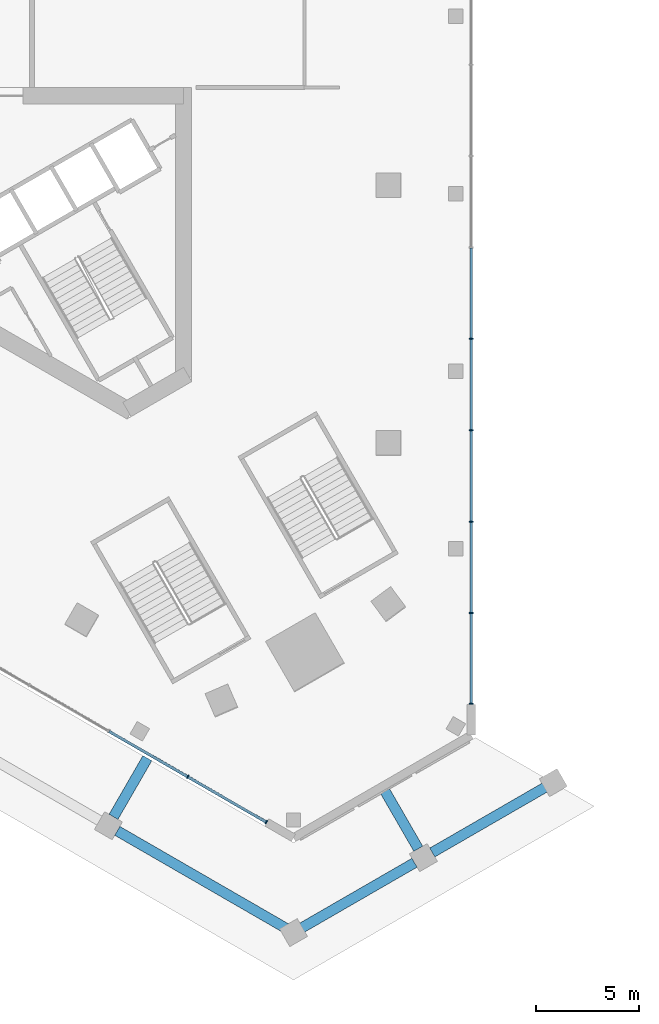
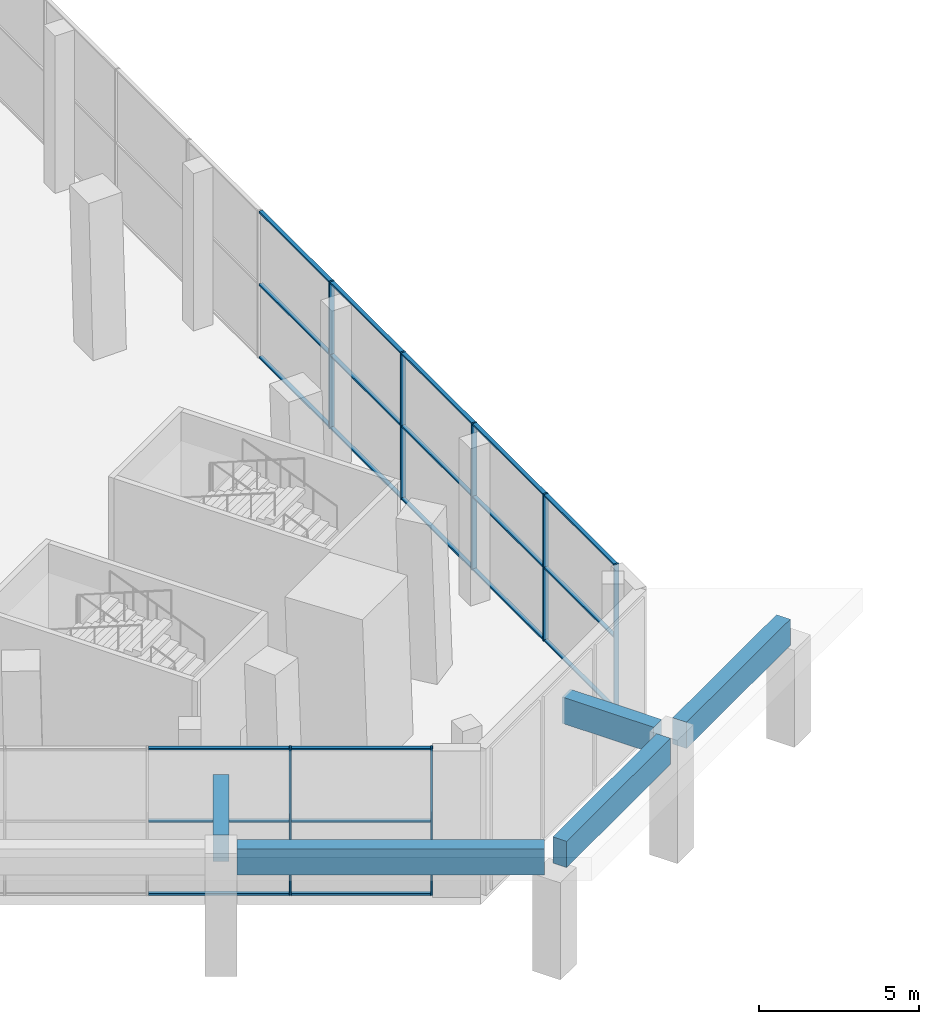
# One storey, part 8 of 51: 28 members, 5 beams, 2 elements without a shape of their own.
"""IFC4 building model written with IfcOpenShell, lengths in metres."""

from ifc_helpers import new_model, si_unit, direction, frame, origin, origin_2d, place, context, subcontext, project, spatial, rectangle, extrude, material, layer, layer_set, material_profile, profile_set, type_object, element, aggregate, save


model = new_model("IFC4")

# Units and contexts
model_context = context("Model", 3, precision=1e-05, world=origin(), true_north=direction((0.0, 1.0)))
body_context = subcontext(model_context, "Body", "Model", "MODEL_VIEW")
ifc_project = project(units=[si_unit("LENGTHUNIT", "METRE"), si_unit("AREAUNIT", "SQUARE_METRE"), si_unit("VOLUMEUNIT", "CUBIC_METRE"), si_unit("PLANEANGLEUNIT", "RADIAN"), si_unit("MASSUNIT", "GRAM", prefix="KILO")], contexts=[model_context])

# Site, building, storey
site_placement = place(None, origin())
site = spatial("IfcSite", under=ifc_project, at=site_placement, CompositionType="ELEMENT")
building_placement = place(site_placement, origin())
building = spatial("IfcBuilding", under=site, at=building_placement, Name="Jabali Bay Hotel Tower and Convention Centre", CompositionType="ELEMENT")
storey_placement = place(building_placement, frame((0.0, 0.0, 9.0)))
storey = spatial("IfcBuildingStorey", under=building, at=storey_placement, Name="L01", CompositionType="ELEMENT", Elevation=9.0)

# Beams
ifc_material_1 = material(Name="Concrete C40", Category="concrete")
ifc_material_profile_1 = material_profile(ifc_material_1, rectangle(XDim=0.5, YDim=1.0, at=origin_2d()), Name="RC 500x1000")
ifc_profile_set_1 = profile_set([ifc_material_profile_1], Name="Concrete C40")
beam_type = type_object("IfcBeamType", Name="Arcade Edge Beam 500x1000", PredefinedType="BEAM", material=ifc_profile_set_1)
beam_1_placement = place(storey_placement, frame((86.250244140625, 35.976806640625, 4.199951171875), z_axis=(0.866025895183, -0.499999148871, 0.0), x_axis=(0.499999148871, 0.866025895183, 0.0)))
element("IfcBeam", 1, at=beam_1_placement, inside=storey, type_object=beam_type, Name="Arcade edge beam 20", PredefinedType="BEAM", context=body_context, shape_type="SweptSolid", body=[
    extrude(rectangle(XDim=0.5, YDim=1.0, at=origin_2d()), origin(), (0.0, 0.0, 1.0), 9.59814453125),
])
beam_2_placement = place(storey_placement, frame((95.116943359375, 31.177734375, 4.199951171875), z_axis=(0.866025824846, 0.499999270699, 0.0), x_axis=(-0.499999270699, 0.866025824846, 0.0)))
element("IfcBeam", 2, at=beam_2_placement, inside=storey, type_object=beam_type, Name="Arcade edge beam 21", PredefinedType="BEAM", context=body_context, shape_type="SweptSolid", body=[
    extrude(rectangle(XDim=0.5, YDim=1.0, at=origin_2d()), origin(), (0.0, 0.0, 1.0), 6.4892578125),
])
beam_3_placement = place(storey_placement, frame((101.602783203125, 34.92236328125, 4.199951171875), z_axis=(0.866018939763, 0.500011195847, 0.0), x_axis=(-0.500011195847, 0.866018939763, 0.0)))
element("IfcBeam", 3, at=beam_3_placement, inside=storey, type_object=beam_type, Name="Arcade edge beam 22", PredefinedType="BEAM", context=body_context, shape_type="SweptSolid", body=[
    extrude(rectangle(XDim=0.5, YDim=1.0, at=origin_2d()), origin(), (0.0, 0.0, 1.0), 6.489501953125),
])
for number, where, z_axis, x_axis, name in (
    (4, (86.0673828125, 36.659912109375, 4.199951171875), (0.499974350878, 0.866040211805, 0.0), (-0.866040211805, 0.499974350878, 0.0), "Arcade cross beam 16"),
    (5, (100.919921875, 35.10546875, 4.199951171875), (-0.50002983664, 0.866008176907, 0.0), (-0.866008176907, -0.50002983664, 0.0), "Arcade cross beam 17"),
):
    element("IfcBeam", number, at=place(storey_placement, frame(where, z_axis=z_axis, x_axis=x_axis)), inside=storey, type_object=beam_type, Name=name, PredefinedType="BEAM", context=body_context, shape_type="SweptSolid", body=[
        extrude(rectangle(XDim=0.5, YDim=1.0, at=origin_2d()), origin(), (0.0, 0.0, 1.0), 3.300048828125),
    ])

# Curtain wall, members
ifc_material_2 = material(Name="Aluminium and glass", Category="aluminium")
ifc_layer = layer(ifc_material_2, 0.179931640625)
ifc_layer_set = layer_set([ifc_layer], Name="Aluminium and glass")
curtain_wall_type = type_object("IfcCurtainWallType", Name="CW1 curtain wall", PredefinedType="NOTDEFINED", material=ifc_layer_set)
curtain_wall_1_placement = place(storey_placement, origin())
curtain_wall_1 = element("IfcCurtainWall", 6, at=curtain_wall_1_placement, inside=storey, type_object=curtain_wall_type, Name="CW1 curtain wall east face L01", PredefinedType="NOTDEFINED")
ifc_material_3 = material(Name="Aluminium", Category="aluminium")
ifc_material_profile_2 = material_profile(ifc_material_3, rectangle(XDim=0.179931640625, YDim=0.06005859375, at=origin_2d()), Name="CW1 mullion 60 x 180")
ifc_profile_set_2 = profile_set([ifc_material_profile_2], Name="Aluminium")
member_type_1 = type_object("IfcMemberType", Name="CW1 mullion 60 x 180", PredefinedType="MULLION", material=ifc_profile_set_2)
member_1_placement = place(storey_placement, frame((103.5, 59.95458984375, 0.0), z_axis=(0.0, 0.0, 1.0), x_axis=(1.0, 0.0, 0.0)))
member_1 = element("IfcMember", 7, at=member_1_placement, type_object=member_type_1, Name="CW1 mullion 14", PredefinedType="MULLION", context=body_context, shape_type="SweptSolid", body=[
    extrude(rectangle(XDim=0.179931640625, YDim=0.06005859375, at=origin_2d()), origin(), (0.0, 0.0, 1.0), 5.60009765625),
])
member_2_placement = place(storey_placement, frame((103.5, 55.5, 0.0), z_axis=(0.0, 0.0, 1.0), x_axis=(1.0, 0.0, 0.0)))
member_2 = element("IfcMember", 8, at=member_2_placement, type_object=member_type_1, Name="CW1 mullion 15", PredefinedType="MULLION", context=body_context, shape_type="SweptSolid", body=[
    extrude(rectangle(XDim=0.179931640625, YDim=0.06005859375, at=origin_2d()), origin(), (0.0, 0.0, 1.0), 5.60009765625),
])
member_3_placement = place(storey_placement, frame((103.5, 51.045654296875, 0.0), z_axis=(0.0, 0.0, 1.0), x_axis=(1.0, 0.0, 0.0)))
member_3 = element("IfcMember", 9, at=member_3_placement, type_object=member_type_1, Name="CW1 mullion 16", PredefinedType="MULLION", context=body_context, shape_type="SweptSolid", body=[
    extrude(rectangle(XDim=0.179931640625, YDim=0.06005859375, at=origin_2d()), origin(), (0.0, 0.0, 1.0), 5.60009765625),
])
member_4_placement = place(storey_placement, frame((103.5, 46.591064453125, 0.0), z_axis=(0.0, 0.0, 1.0), x_axis=(1.0, 0.0, 0.0)))
member_4 = element("IfcMember", 10, at=member_4_placement, type_object=member_type_1, Name="CW1 mullion 17", PredefinedType="MULLION", context=body_context, shape_type="SweptSolid", body=[
    extrude(rectangle(XDim=0.179931640625, YDim=0.06005859375, at=origin_2d()), origin(), (0.0, 0.0, 1.0), 5.60009765625),
])
member_5_placement = place(storey_placement, frame((103.5, 42.16650390625, 0.0), z_axis=(0.0, 0.0, 1.0), x_axis=(1.0, 0.0, 0.0)))
member_5 = element("IfcMember", 11, at=member_5_placement, type_object=member_type_1, Name="CW1 mullion 18", PredefinedType="MULLION", context=body_context, shape_type="SweptSolid", body=[
    extrude(rectangle(XDim=0.179931640625, YDim=0.06005859375, at=origin_2d()), origin(), (0.0, 0.0, 1.0), 5.60009765625),
])

curtain_wall_2_placement = place(storey_placement, origin())
curtain_wall_2 = element("IfcCurtainWall", 12, at=curtain_wall_2_placement, inside=storey, type_object=curtain_wall_type, Name="CW1 curtain wall south-west face L01", PredefinedType="NOTDEFINED")
member_6_placement = place(storey_placement, frame((93.5146484375, 36.401611328125, 0.0), z_axis=(0.0, 0.0, 1.0), x_axis=(-0.499999999441, -0.866025404107, 0.0)))
member_6 = element("IfcMember", 13, at=member_6_placement, type_object=member_type_1, Name="CW1 mullion 1", PredefinedType="MULLION", context=body_context, shape_type="SweptSolid", body=[
    extrude(rectangle(XDim=0.179931640625, YDim=0.06005859375, at=origin_2d()), origin(), (0.0, 0.0, 1.0), 5.60009765625),
])
member_7_placement = place(storey_placement, frame((89.682861328125, 38.61376953125, 0.0), z_axis=(0.0, 0.0, 1.0), x_axis=(-0.499999999441, -0.866025404107, 0.0)))
member_7 = element("IfcMember", 14, at=member_7_placement, type_object=member_type_1, Name="CW1 mullion 2", PredefinedType="MULLION", context=body_context, shape_type="SweptSolid", body=[
    extrude(rectangle(XDim=0.179931640625, YDim=0.06005859375, at=origin_2d()), origin(), (0.0, 0.0, 1.0), 5.60009765625),
])

# Member
ifc_material_profile_3 = material_profile(ifc_material_3, rectangle(XDim=0.139892578125, YDim=0.06005859375, at=origin_2d()), Name="CW1 transom 60 x 140")
ifc_profile_set_3 = profile_set([ifc_material_profile_3], Name="Aluminium")
member_type_2 = type_object("IfcMemberType", Name="CW1 transom 60 x 140", PredefinedType="USERDEFINED", material=ifc_profile_set_3)
member_8_placement = place(storey_placement, frame((103.5, 64.379150390625, 0.030029296875), z_axis=(0.0, -1.0, 0.0), x_axis=(1.0, 0.0, 0.0)))
member_8 = element("IfcMember", 15, at=member_8_placement, type_object=member_type_2, Name="CW1 transom 13.1", ObjectType="TRANSOM", PredefinedType="USERDEFINED", context=body_context, shape_type="SweptSolid", body=[
    extrude(rectangle(XDim=0.139892578125, YDim=0.06005859375, at=origin_2d()), origin(), (0.0, 0.0, 1.0), 4.39453125),
])

member_9_placement = place(storey_placement, frame((103.5, 64.379150390625, 2.800048828125), z_axis=(0.0, -1.0, 0.0), x_axis=(1.0, 0.0, 0.0)))
member_9 = element("IfcMember", 16, at=member_9_placement, type_object=member_type_2, Name="CW1 transom 13.2", ObjectType="TRANSOM", PredefinedType="USERDEFINED", context=body_context, shape_type="SweptSolid", body=[
    extrude(rectangle(XDim=0.139892578125, YDim=0.06005859375, at=origin_2d()), origin(), (0.0, 0.0, 1.0), 4.39453125),
])

member_10_placement = place(storey_placement, frame((103.5, 64.379150390625, 5.570068359375), z_axis=(0.0, -1.0, 0.0), x_axis=(1.0, 0.0, 0.0)))
member_10 = element("IfcMember", 17, at=member_10_placement, type_object=member_type_2, Name="CW1 transom 13.3", ObjectType="TRANSOM", PredefinedType="USERDEFINED", context=body_context, shape_type="SweptSolid", body=[
    extrude(rectangle(XDim=0.139892578125, YDim=0.06005859375, at=origin_2d()), origin(), (0.0, 0.0, 1.0), 4.39453125),
])

member_11_placement = place(storey_placement, frame((103.5, 59.924560546875, 0.030029296875), z_axis=(0.0, -1.0, 0.0), x_axis=(1.0, 0.0, 0.0)))
member_11 = element("IfcMember", 18, at=member_11_placement, type_object=member_type_2, Name="CW1 transom 14.1", ObjectType="TRANSOM", PredefinedType="USERDEFINED", context=body_context, shape_type="SweptSolid", body=[
    extrude(rectangle(XDim=0.139892578125, YDim=0.06005859375, at=origin_2d()), origin(), (0.0, 0.0, 1.0), 4.39453125),
])

member_12_placement = place(storey_placement, frame((103.5, 59.924560546875, 2.800048828125), z_axis=(0.0, -1.0, 0.0), x_axis=(1.0, 0.0, 0.0)))
member_12 = element("IfcMember", 19, at=member_12_placement, type_object=member_type_2, Name="CW1 transom 14.2", ObjectType="TRANSOM", PredefinedType="USERDEFINED", context=body_context, shape_type="SweptSolid", body=[
    extrude(rectangle(XDim=0.139892578125, YDim=0.06005859375, at=origin_2d()), origin(), (0.0, 0.0, 1.0), 4.39453125),
])

member_13_placement = place(storey_placement, frame((103.5, 59.924560546875, 5.570068359375), z_axis=(0.0, -1.0, 0.0), x_axis=(1.0, 0.0, 0.0)))
member_13 = element("IfcMember", 20, at=member_13_placement, type_object=member_type_2, Name="CW1 transom 14.3", ObjectType="TRANSOM", PredefinedType="USERDEFINED", context=body_context, shape_type="SweptSolid", body=[
    extrude(rectangle(XDim=0.139892578125, YDim=0.06005859375, at=origin_2d()), origin(), (0.0, 0.0, 1.0), 4.39453125),
])

member_14_placement = place(storey_placement, frame((103.5, 55.47021484375, 0.030029296875), z_axis=(0.0, -1.0, 0.0), x_axis=(1.0, 0.0, 0.0)))
member_14 = element("IfcMember", 21, at=member_14_placement, type_object=member_type_2, Name="CW1 transom 15.1", ObjectType="TRANSOM", PredefinedType="USERDEFINED", context=body_context, shape_type="SweptSolid", body=[
    extrude(rectangle(XDim=0.139892578125, YDim=0.06005859375, at=origin_2d()), origin(), (0.0, 0.0, 1.0), 4.39453125),
])

member_15_placement = place(storey_placement, frame((103.5, 55.47021484375, 2.800048828125), z_axis=(0.0, -1.0, 0.0), x_axis=(1.0, 0.0, 0.0)))
member_15 = element("IfcMember", 22, at=member_15_placement, type_object=member_type_2, Name="CW1 transom 15.2", ObjectType="TRANSOM", PredefinedType="USERDEFINED", context=body_context, shape_type="SweptSolid", body=[
    extrude(rectangle(XDim=0.139892578125, YDim=0.06005859375, at=origin_2d()), origin(), (0.0, 0.0, 1.0), 4.39453125),
])

member_16_placement = place(storey_placement, frame((103.5, 55.47021484375, 5.570068359375), z_axis=(0.0, -1.0, 0.0), x_axis=(1.0, 0.0, 0.0)))
member_16 = element("IfcMember", 23, at=member_16_placement, type_object=member_type_2, Name="CW1 transom 15.3", ObjectType="TRANSOM", PredefinedType="USERDEFINED", context=body_context, shape_type="SweptSolid", body=[
    extrude(rectangle(XDim=0.139892578125, YDim=0.06005859375, at=origin_2d()), origin(), (0.0, 0.0, 1.0), 4.39453125),
])

member_17_placement = place(storey_placement, frame((103.5, 51.015625, 0.030029296875), z_axis=(0.0, -1.0, 0.0), x_axis=(1.0, 0.0, 0.0)))
member_17 = element("IfcMember", 24, at=member_17_placement, type_object=member_type_2, Name="CW1 transom 16.1", ObjectType="TRANSOM", PredefinedType="USERDEFINED", context=body_context, shape_type="SweptSolid", body=[
    extrude(rectangle(XDim=0.139892578125, YDim=0.06005859375, at=origin_2d()), origin(), (0.0, 0.0, 1.0), 4.39453125),
])

member_18_placement = place(storey_placement, frame((103.5, 51.015625, 2.800048828125), z_axis=(0.0, -1.0, 0.0), x_axis=(1.0, 0.0, 0.0)))
member_18 = element("IfcMember", 25, at=member_18_placement, type_object=member_type_2, Name="CW1 transom 16.2", ObjectType="TRANSOM", PredefinedType="USERDEFINED", context=body_context, shape_type="SweptSolid", body=[
    extrude(rectangle(XDim=0.139892578125, YDim=0.06005859375, at=origin_2d()), origin(), (0.0, 0.0, 1.0), 4.39453125),
])

member_19_placement = place(storey_placement, frame((103.5, 51.015625, 5.570068359375), z_axis=(0.0, -1.0, 0.0), x_axis=(1.0, 0.0, 0.0)))
member_19 = element("IfcMember", 26, at=member_19_placement, type_object=member_type_2, Name="CW1 transom 16.3", ObjectType="TRANSOM", PredefinedType="USERDEFINED", context=body_context, shape_type="SweptSolid", body=[
    extrude(rectangle(XDim=0.139892578125, YDim=0.06005859375, at=origin_2d()), origin(), (0.0, 0.0, 1.0), 4.39453125),
])

member_20_placement = place(storey_placement, frame((103.5, 46.56103515625, 0.030029296875), z_axis=(0.0, -1.0, 0.0), x_axis=(1.0, 0.0, 0.0)))
member_20 = element("IfcMember", 27, at=member_20_placement, type_object=member_type_2, Name="CW1 transom 17.1", ObjectType="TRANSOM", PredefinedType="USERDEFINED", context=body_context, shape_type="SweptSolid", body=[
    extrude(rectangle(XDim=0.139892578125, YDim=0.06005859375, at=origin_2d()), origin(), (0.0, 0.0, 1.0), 4.364501953125),
])

member_21_placement = place(storey_placement, frame((103.5, 46.56103515625, 2.800048828125), z_axis=(0.0, -1.0, 0.0), x_axis=(1.0, 0.0, 0.0)))
member_21 = element("IfcMember", 28, at=member_21_placement, type_object=member_type_2, Name="CW1 transom 17.2", ObjectType="TRANSOM", PredefinedType="USERDEFINED", context=body_context, shape_type="SweptSolid", body=[
    extrude(rectangle(XDim=0.139892578125, YDim=0.06005859375, at=origin_2d()), origin(), (0.0, 0.0, 1.0), 4.364501953125),
])

member_22_placement = place(storey_placement, frame((103.5, 46.56103515625, 5.570068359375), z_axis=(0.0, -1.0, 0.0), x_axis=(1.0, 0.0, 0.0)))
member_22 = element("IfcMember", 29, at=member_22_placement, type_object=member_type_2, Name="CW1 transom 17.3", ObjectType="TRANSOM", PredefinedType="USERDEFINED", context=body_context, shape_type="SweptSolid", body=[
    extrude(rectangle(XDim=0.139892578125, YDim=0.06005859375, at=origin_2d()), origin(), (0.0, 0.0, 1.0), 4.364501953125),
])

aggregate(curtain_wall_1, [member_1, member_2, member_3, member_4, member_5, member_8, member_9, member_10, member_11, member_12, member_13, member_14, member_15, member_16, member_17, member_18, member_19, member_20, member_21, member_22])

member_23_placement = place(storey_placement, frame((93.48876953125, 36.41650390625, 0.030029296875), z_axis=(-0.866014185868, 0.500019429497, 0.0), x_axis=(-0.500019429497, -0.866014185868, 0.0)))
member_23 = element("IfcMember", 30, at=member_23_placement, type_object=member_type_2, Name="CW1 transom 1.1", ObjectType="TRANSOM", PredefinedType="USERDEFINED", context=body_context, shape_type="SweptSolid", body=[
    extrude(rectangle(XDim=0.139892578125, YDim=0.06005859375, at=origin_2d()), origin(), (0.0, 0.0, 1.0), 4.364501953125),
])

member_24_placement = place(storey_placement, frame((93.48876953125, 36.41650390625, 2.800048828125), z_axis=(-0.866014185868, 0.500019429497, 0.0), x_axis=(-0.500019429497, -0.866014185868, 0.0)))
member_24 = element("IfcMember", 31, at=member_24_placement, type_object=member_type_2, Name="CW1 transom 1.2", ObjectType="TRANSOM", PredefinedType="USERDEFINED", context=body_context, shape_type="SweptSolid", body=[
    extrude(rectangle(XDim=0.139892578125, YDim=0.06005859375, at=origin_2d()), origin(), (0.0, 0.0, 1.0), 4.364501953125),
])

member_25_placement = place(storey_placement, frame((93.48876953125, 36.41650390625, 5.570068359375), z_axis=(-0.866014185868, 0.500019429497, 0.0), x_axis=(-0.500019429497, -0.866014185868, 0.0)))
member_25 = element("IfcMember", 32, at=member_25_placement, type_object=member_type_2, Name="CW1 transom 1.3", ObjectType="TRANSOM", PredefinedType="USERDEFINED", context=body_context, shape_type="SweptSolid", body=[
    extrude(rectangle(XDim=0.139892578125, YDim=0.06005859375, at=origin_2d()), origin(), (0.0, 0.0, 1.0), 4.364501953125),
])

member_26_placement = place(storey_placement, frame((89.656982421875, 38.62890625, 0.030029296875), z_axis=(-0.866019052629, 0.500011000363, 0.0), x_axis=(-0.500011000363, -0.866019052629, 0.0)))
member_26 = element("IfcMember", 33, at=member_26_placement, type_object=member_type_2, Name="CW1 transom 2.1", ObjectType="TRANSOM", PredefinedType="USERDEFINED", context=body_context, shape_type="SweptSolid", body=[
    extrude(rectangle(XDim=0.139892578125, YDim=0.06005859375, at=origin_2d()), origin(), (0.0, 0.0, 1.0), 4.39453125),
])

member_27_placement = place(storey_placement, frame((89.656982421875, 38.62890625, 2.800048828125), z_axis=(-0.866019052629, 0.500011000363, 0.0), x_axis=(-0.500011000363, -0.866019052629, 0.0)))
member_27 = element("IfcMember", 34, at=member_27_placement, type_object=member_type_2, Name="CW1 transom 2.2", ObjectType="TRANSOM", PredefinedType="USERDEFINED", context=body_context, shape_type="SweptSolid", body=[
    extrude(rectangle(XDim=0.139892578125, YDim=0.06005859375, at=origin_2d()), origin(), (0.0, 0.0, 1.0), 4.39453125),
])

member_28_placement = place(storey_placement, frame((89.656982421875, 38.62890625, 5.570068359375), z_axis=(-0.866019052629, 0.500011000363, 0.0), x_axis=(-0.500011000363, -0.866019052629, 0.0)))
member_28 = element("IfcMember", 35, at=member_28_placement, type_object=member_type_2, Name="CW1 transom 2.3", ObjectType="TRANSOM", PredefinedType="USERDEFINED", context=body_context, shape_type="SweptSolid", body=[
    extrude(rectangle(XDim=0.139892578125, YDim=0.06005859375, at=origin_2d()), origin(), (0.0, 0.0, 1.0), 4.39453125),
])

aggregate(curtain_wall_2, [member_6, member_7, member_23, member_24, member_25, member_26, member_27, member_28])

save(model, "model.ifc")
